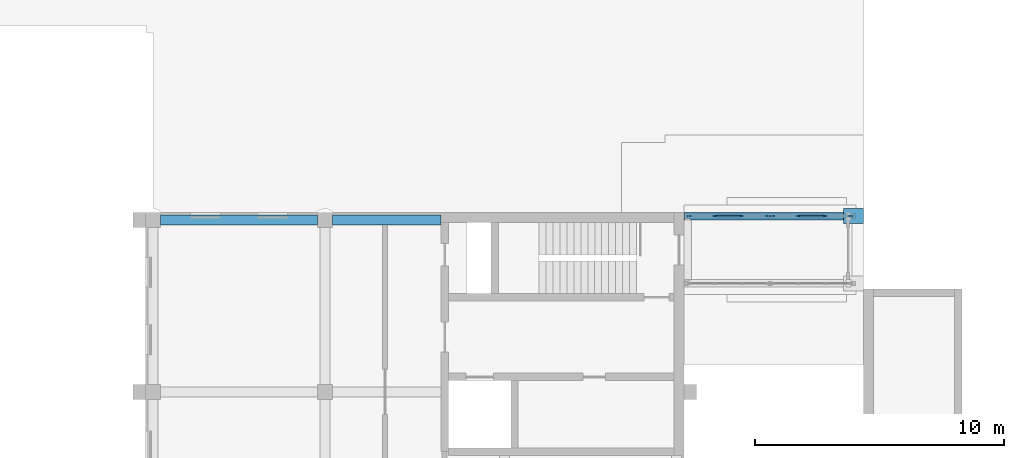
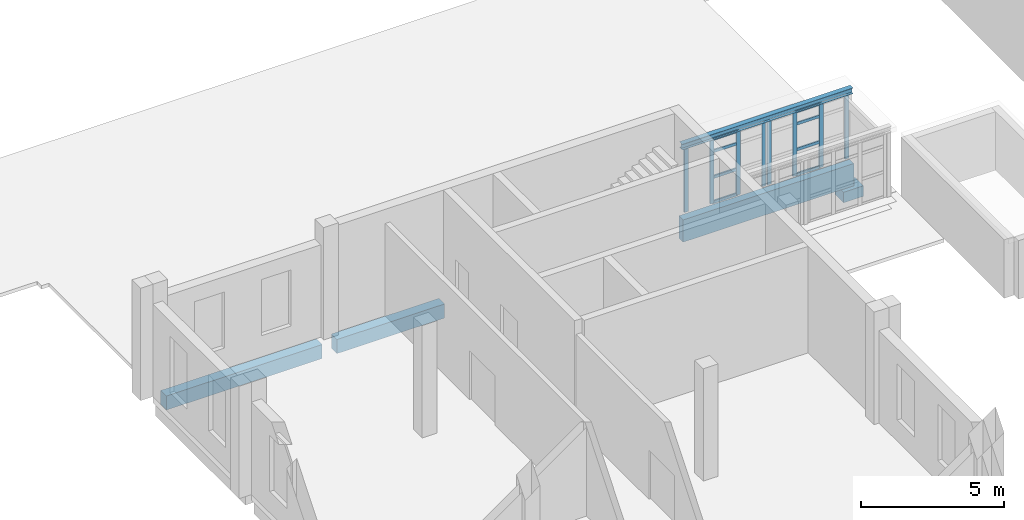
# One storey, part 55 of 131: 16 members, 5 beams, 2 elements without a shape of their own.
"""IFC4 building model written with IfcOpenShell, lengths in metres."""

from ifc_helpers import new_model, si_unit, direction, frame, origin, origin_2d, place, context, subcontext, project, spatial, rectangle, i_section, extrude, material, layer, layer_set, material_profile, profile_set, type_object, element, aggregate, save


model = new_model("IFC4")

# Units and contexts
model_context = context("Model", 3, precision=1e-05, world=origin(), true_north=direction((0.0, 1.0)))
body_context = subcontext(model_context, "Body", "Model", "MODEL_VIEW")
ifc_project = project(units=[si_unit("LENGTHUNIT", "METRE"), si_unit("AREAUNIT", "SQUARE_METRE"), si_unit("VOLUMEUNIT", "CUBIC_METRE"), si_unit("PLANEANGLEUNIT", "RADIAN"), si_unit("MASSUNIT", "GRAM", prefix="KILO")], contexts=[model_context])

# Site, building, storey
site_placement = place(None, origin())
site = spatial("IfcSite", under=ifc_project, at=site_placement, CompositionType="ELEMENT")
building_placement = place(site_placement, origin())
building = spatial("IfcBuilding", under=site, at=building_placement, Name="Alderwick Market Hall", CompositionType="ELEMENT")
storey_placement = place(building_placement, frame((0.0, 0.0, 4.800048828125)))
storey = spatial("IfcBuildingStorey", under=building, at=storey_placement, Name="L00", CompositionType="ELEMENT", Elevation=4.800048828125)

# Beams
ifc_material_1 = material(Name="Concrete 5000 psi (f'c 35 MPa)", Category="concrete")
ifc_material_profile_1 = material_profile(ifc_material_1, rectangle(XDim=0.39990234375, YDim=0.60009765625, at=origin_2d()), Name="B RC Beam 400x600")
ifc_profile_set_1 = profile_set([ifc_material_profile_1], Name="Concrete 5000 psi (f'c 35 MPa)")
beam_type_1 = type_object("IfcBeamType", Name="B RC Beam 400x600", PredefinedType="BEAM", material=ifc_profile_set_1)
beam_1_placement = place(storey_placement, frame((22.199951171875, 129.300048828125, -0.550048828125), z_axis=(1.0, 0.0, 0.0), x_axis=(0.0, 1.0, 0.0)))
element("IfcBeam", 1, at=beam_1_placement, inside=storey, type_object=beam_type_1, Name="B.N.beam.L00.u003-0006", PredefinedType="BEAM", context=body_context, shape_type="SweptSolid", body=[
    extrude(rectangle(XDim=0.39990234375, YDim=0.60009765625, at=origin_2d()), origin(), (0.0, 0.0, 1.0), 6.300048828125),
])
beam_2_placement = place(storey_placement, frame((29.10009765625, 129.300048828125, -0.550048828125), z_axis=(1.0, 0.0, 0.0), x_axis=(0.0, 1.0, 0.0)))
element("IfcBeam", 2, at=beam_2_placement, inside=storey, type_object=beam_type_1, Name="B.N.beam.L00.u003-0075", PredefinedType="BEAM", context=body_context, shape_type="SweptSolid", body=[
    extrude(rectangle(XDim=0.39990234375, YDim=0.60009765625, at=origin_2d()), origin(), (0.0, 0.0, 1.0), 4.349853515625),
])

# Curtain wall, members
ifc_material_2 = material(Name="Aluminium frame", Category="aluminium")
ifc_layer = layer(ifc_material_2, 0.10009765625)
ifc_layer_set = layer_set([ifc_layer], Name="Aluminium frame")
curtain_wall_type = type_object("IfcCurtainWallType", Name="P Curtain Wall 100", PredefinedType="NOTDEFINED", material=ifc_layer_set)
curtain_wall_1_placement = place(storey_placement, origin())
curtain_wall_1 = element("IfcCurtainWall", 3, at=curtain_wall_1_placement, inside=storey, type_object=curtain_wall_type, Name="P.P7.cw.b0", PredefinedType="NOTDEFINED")
ifc_material_profile_2 = material_profile(ifc_material_2, rectangle(XDim=0.06005859375, YDim=0.159912109375, at=origin_2d()), Name="P Mullion 60x160")
ifc_profile_set_2 = profile_set([ifc_material_profile_2], Name="Aluminium frame")
member_type_1 = type_object("IfcMemberType", Name="P Mullion 60x160", PredefinedType="MULLION", material=ifc_profile_set_2)
member_1_placement = place(storey_placement, frame((43.406005859375, 129.449951171875, 0.0), z_axis=(0.0, 0.0, 1.0), x_axis=(0.0, 1.0, 0.0)))
member_1 = element("IfcMember", 4, at=member_1_placement, type_object=member_type_1, Name="P-CW7b0 mullion 1", PredefinedType="MULLION", context=body_context, shape_type="SweptSolid", body=[
    extrude(rectangle(XDim=0.06005859375, YDim=0.159912109375, at=origin_2d()), origin(), (0.0, 0.0, 1.0), 2.7529296875),
])
member_2_placement = place(storey_placement, frame((44.44189453125, 129.449951171875, 0.0), z_axis=(0.0, 0.0, 1.0), x_axis=(0.0, 1.0, 0.0)))
member_2 = element("IfcMember", 5, at=member_2_placement, type_object=member_type_1, Name="P-CW7b0 mullion 2", PredefinedType="MULLION", context=body_context, shape_type="SweptSolid", body=[
    extrude(rectangle(XDim=0.06005859375, YDim=0.159912109375, at=origin_2d()), origin(), (0.0, 0.0, 1.0), 2.7529296875),
])
member_3_placement = place(storey_placement, frame((45.508056640625, 129.449951171875, 0.0), z_axis=(0.0, 0.0, 1.0), x_axis=(0.0, 1.0, 0.0)))
member_3 = element("IfcMember", 6, at=member_3_placement, type_object=member_type_1, Name="P-CW7b0 mullion 3", PredefinedType="MULLION", context=body_context, shape_type="SweptSolid", body=[
    extrude(rectangle(XDim=0.06005859375, YDim=0.159912109375, at=origin_2d()), origin(), (0.0, 0.0, 1.0), 2.7529296875),
])
member_4_placement = place(storey_placement, frame((46.5439453125, 129.449951171875, 0.0), z_axis=(0.0, 0.0, 1.0), x_axis=(0.0, 1.0, 0.0)))
member_4 = element("IfcMember", 7, at=member_4_placement, type_object=member_type_1, Name="P-CW7b0 mullion 4", PredefinedType="MULLION", context=body_context, shape_type="SweptSolid", body=[
    extrude(rectangle(XDim=0.06005859375, YDim=0.159912109375, at=origin_2d()), origin(), (0.0, 0.0, 1.0), 2.7529296875),
])

curtain_wall_2_placement = place(storey_placement, origin())
curtain_wall_2 = element("IfcCurtainWall", 8, at=curtain_wall_2_placement, inside=storey, type_object=curtain_wall_type, Name="P.P7.cw.b1", PredefinedType="NOTDEFINED")
member_5_placement = place(storey_placement, frame((46.756103515625, 129.449951171875, 0.0), z_axis=(0.0, 0.0, 1.0), x_axis=(0.0, 1.0, 0.0)))
member_5 = element("IfcMember", 9, at=member_5_placement, type_object=member_type_1, Name="P-CW7b1 mullion 1", PredefinedType="MULLION", context=body_context, shape_type="SweptSolid", body=[
    extrude(rectangle(XDim=0.06005859375, YDim=0.159912109375, at=origin_2d()), origin(), (0.0, 0.0, 1.0), 2.7529296875),
])
member_6_placement = place(storey_placement, frame((47.7919921875, 129.449951171875, 0.0), z_axis=(0.0, 0.0, 1.0), x_axis=(0.0, 1.0, 0.0)))
member_6 = element("IfcMember", 10, at=member_6_placement, type_object=member_type_1, Name="P-CW7b1 mullion 2", PredefinedType="MULLION", context=body_context, shape_type="SweptSolid", body=[
    extrude(rectangle(XDim=0.06005859375, YDim=0.159912109375, at=origin_2d()), origin(), (0.0, 0.0, 1.0), 2.7529296875),
])
member_7_placement = place(storey_placement, frame((48.85791015625, 129.449951171875, 0.0), z_axis=(0.0, 0.0, 1.0), x_axis=(0.0, 1.0, 0.0)))
member_7 = element("IfcMember", 11, at=member_7_placement, type_object=member_type_1, Name="P-CW7b1 mullion 3", PredefinedType="MULLION", context=body_context, shape_type="SweptSolid", body=[
    extrude(rectangle(XDim=0.06005859375, YDim=0.159912109375, at=origin_2d()), origin(), (0.0, 0.0, 1.0), 2.7529296875),
])
member_8_placement = place(storey_placement, frame((49.89404296875, 129.449951171875, 0.0), z_axis=(0.0, 0.0, 1.0), x_axis=(0.0, 1.0, 0.0)))
member_8 = element("IfcMember", 12, at=member_8_placement, type_object=member_type_1, Name="P-CW7b1 mullion 4", PredefinedType="MULLION", context=body_context, shape_type="SweptSolid", body=[
    extrude(rectangle(XDim=0.06005859375, YDim=0.159912109375, at=origin_2d()), origin(), (0.0, 0.0, 1.0), 2.7529296875),
])

# Beams
ifc_material_profile_3 = material_profile(ifc_material_1, rectangle(XDim=0.60009765625, YDim=0.449951171875, at=origin_2d()), Name="P RC Bearing Corbel 600x450")
ifc_profile_set_3 = profile_set([ifc_material_profile_3], Name="Concrete 5000 psi (f'c 35 MPa)")
beam_type_2 = type_object("IfcBeamType", Name="P RC Bearing Corbel 600x450", PredefinedType="USERDEFINED", material=ifc_profile_set_3)
beam_3_placement = place(storey_placement, frame((49.60009765625, 129.449951171875, -1.39306640625), z_axis=(1.0, 0.0, 0.0), x_axis=(0.0, 1.0, 0.0)))
element("IfcBeam", 13, at=beam_3_placement, inside=storey, type_object=beam_type_2, Name="Bearing corbel", ObjectType="CORBEL", PredefinedType="USERDEFINED", context=body_context, shape_type="SweptSolid", body=[
    extrude(rectangle(XDim=0.60009765625, YDim=0.449951171875, at=origin_2d()), origin(), (0.0, 0.0, 1.0), 0.7998046875),
])
ifc_material_profile_4 = material_profile(ifc_material_1, rectangle(XDim=0.300048828125, YDim=0.949951171875, at=origin_2d()), Name="P RC Edge Girder 300x950")
ifc_profile_set_4 = profile_set([ifc_material_profile_4], Name="Concrete 5000 psi (f'c 35 MPa)")
beam_type_3 = type_object("IfcBeamType", Name="P RC Edge Girder 300x950", PredefinedType="BEAM", material=ifc_profile_set_4)
beam_4_placement = place(storey_placement, frame((43.199951171875, 129.449951171875, -0.675048828125), z_axis=(1.0, 0.0, 0.0), x_axis=(0.0, 1.0, 0.0)))
element("IfcBeam", 14, at=beam_4_placement, inside=storey, type_object=beam_type_3, Name="P.P7.girder.b", PredefinedType="BEAM", context=body_context, shape_type="SweptSolid", body=[
    extrude(rectangle(XDim=0.300048828125, YDim=0.949951171875, at=origin_2d()), origin(), (0.0, 0.0, 1.0), 6.900146484375),
])
ifc_material_3 = material(Name="Steel ASTM A992 Grade 50", Category="steel")
ifc_material_profile_5 = material_profile(ifc_material_3, i_section(OverallWidth=0.201904296875, OverallDepth=0.2470703125, WebThickness=0.00732421875, FlangeThickness=0.010986328125, at=origin_2d()), Name="W250x49")
ifc_profile_set_5 = profile_set([ifc_material_profile_5], Name="Steel ASTM A992 Grade 50")
beam_type_4 = type_object("IfcBeamType", Name="P Roof Beam W250x49", PredefinedType="BEAM", material=ifc_profile_set_5)
beam_5_placement = place(storey_placement, frame((43.199951171875, 129.449951171875, 2.87646484375), z_axis=(1.0, 0.0, 0.0), x_axis=(0.0, 1.0, 0.0)))
element("IfcBeam", 15, at=beam_5_placement, inside=storey, type_object=beam_type_4, Name="P.P7.rbeam.b", PredefinedType="BEAM", context=body_context, shape_type="SweptSolid", body=[
    extrude(i_section(OverallWidth=0.201904296875, OverallDepth=0.2470703125, WebThickness=0.00732421875, FlangeThickness=0.010986328125, at=origin_2d()), origin(), (0.0, 0.0, 1.0), 6.900146484375),
])

# Member
ifc_material_profile_6 = material_profile(ifc_material_2, rectangle(XDim=0.06005859375, YDim=0.1201171875, at=origin_2d()), Name="P Transom 60x120")
ifc_profile_set_6 = profile_set([ifc_material_profile_6], Name="Aluminium frame")
member_type_2 = type_object("IfcMemberType", Name="P Transom 60x120", PredefinedType="USERDEFINED", material=ifc_profile_set_6)
member_9_placement = place(storey_placement, frame((44.471923828125, 129.449951171875, 0.030029296875), z_axis=(1.0, 0.0, 0.0), x_axis=(0.0, 1.0, 0.0)))
member_9 = element("IfcMember", 16, at=member_9_placement, type_object=member_type_2, Name="P-CW7b0 transom 2.1", ObjectType="TRANSOM", PredefinedType="USERDEFINED", context=body_context, shape_type="SweptSolid", body=[
    extrude(rectangle(XDim=0.06005859375, YDim=0.1201171875, at=origin_2d()), origin(), (0.0, 0.0, 1.0), 1.006103515625),
])

member_10_placement = place(storey_placement, frame((44.471923828125, 129.449951171875, 1.099853515625), z_axis=(1.0, 0.0, 0.0), x_axis=(0.0, 1.0, 0.0)))
member_10 = element("IfcMember", 17, at=member_10_placement, type_object=member_type_2, Name="P-CW7b0 transom 2.2", ObjectType="TRANSOM", PredefinedType="USERDEFINED", context=body_context, shape_type="SweptSolid", body=[
    extrude(rectangle(XDim=0.06005859375, YDim=0.1201171875, at=origin_2d()), origin(), (0.0, 0.0, 1.0), 1.006103515625),
])

member_11_placement = place(storey_placement, frame((44.471923828125, 129.449951171875, 2.199951171875), z_axis=(1.0, 0.0, 0.0), x_axis=(0.0, 1.0, 0.0)))
member_11 = element("IfcMember", 18, at=member_11_placement, type_object=member_type_2, Name="P-CW7b0 transom 2.3", ObjectType="TRANSOM", PredefinedType="USERDEFINED", context=body_context, shape_type="SweptSolid", body=[
    extrude(rectangle(XDim=0.06005859375, YDim=0.1201171875, at=origin_2d()), origin(), (0.0, 0.0, 1.0), 1.006103515625),
])

member_12_placement = place(storey_placement, frame((44.471923828125, 129.449951171875, 2.722900390625), z_axis=(1.0, 0.0, 0.0), x_axis=(0.0, 1.0, 0.0)))
member_12 = element("IfcMember", 19, at=member_12_placement, type_object=member_type_2, Name="P-CW7b0 transom 2.4", ObjectType="TRANSOM", PredefinedType="USERDEFINED", context=body_context, shape_type="SweptSolid", body=[
    extrude(rectangle(XDim=0.06005859375, YDim=0.1201171875, at=origin_2d()), origin(), (0.0, 0.0, 1.0), 1.006103515625),
])

aggregate(curtain_wall_1, [member_1, member_2, member_3, member_4, member_9, member_10, member_11, member_12])

member_13_placement = place(storey_placement, frame((47.822021484375, 129.449951171875, 0.030029296875), z_axis=(1.0, 0.0, 0.0), x_axis=(0.0, 1.0, 0.0)))
member_13 = element("IfcMember", 20, at=member_13_placement, type_object=member_type_2, Name="P-CW7b1 transom 2.1", ObjectType="TRANSOM", PredefinedType="USERDEFINED", context=body_context, shape_type="SweptSolid", body=[
    extrude(rectangle(XDim=0.06005859375, YDim=0.1201171875, at=origin_2d()), origin(), (0.0, 0.0, 1.0), 1.005859375),
])

member_14_placement = place(storey_placement, frame((47.822021484375, 129.449951171875, 1.099853515625), z_axis=(1.0, 0.0, 0.0), x_axis=(0.0, 1.0, 0.0)))
member_14 = element("IfcMember", 21, at=member_14_placement, type_object=member_type_2, Name="P-CW7b1 transom 2.2", ObjectType="TRANSOM", PredefinedType="USERDEFINED", context=body_context, shape_type="SweptSolid", body=[
    extrude(rectangle(XDim=0.06005859375, YDim=0.1201171875, at=origin_2d()), origin(), (0.0, 0.0, 1.0), 1.005859375),
])

member_15_placement = place(storey_placement, frame((47.822021484375, 129.449951171875, 2.199951171875), z_axis=(1.0, 0.0, 0.0), x_axis=(0.0, 1.0, 0.0)))
member_15 = element("IfcMember", 22, at=member_15_placement, type_object=member_type_2, Name="P-CW7b1 transom 2.3", ObjectType="TRANSOM", PredefinedType="USERDEFINED", context=body_context, shape_type="SweptSolid", body=[
    extrude(rectangle(XDim=0.06005859375, YDim=0.1201171875, at=origin_2d()), origin(), (0.0, 0.0, 1.0), 1.005859375),
])

member_16_placement = place(storey_placement, frame((47.822021484375, 129.449951171875, 2.722900390625), z_axis=(1.0, 0.0, 0.0), x_axis=(0.0, 1.0, 0.0)))
member_16 = element("IfcMember", 23, at=member_16_placement, type_object=member_type_2, Name="P-CW7b1 transom 2.4", ObjectType="TRANSOM", PredefinedType="USERDEFINED", context=body_context, shape_type="SweptSolid", body=[
    extrude(rectangle(XDim=0.06005859375, YDim=0.1201171875, at=origin_2d()), origin(), (0.0, 0.0, 1.0), 1.005859375),
])

aggregate(curtain_wall_2, [member_5, member_6, member_7, member_8, member_13, member_14, member_15, member_16])

save(model, "model.ifc")
